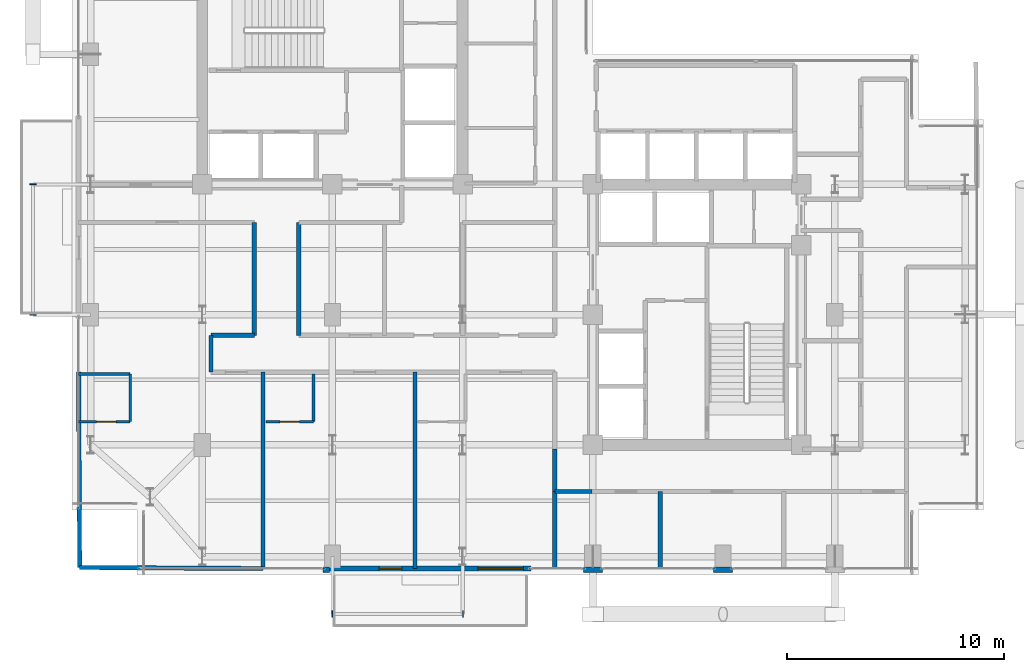
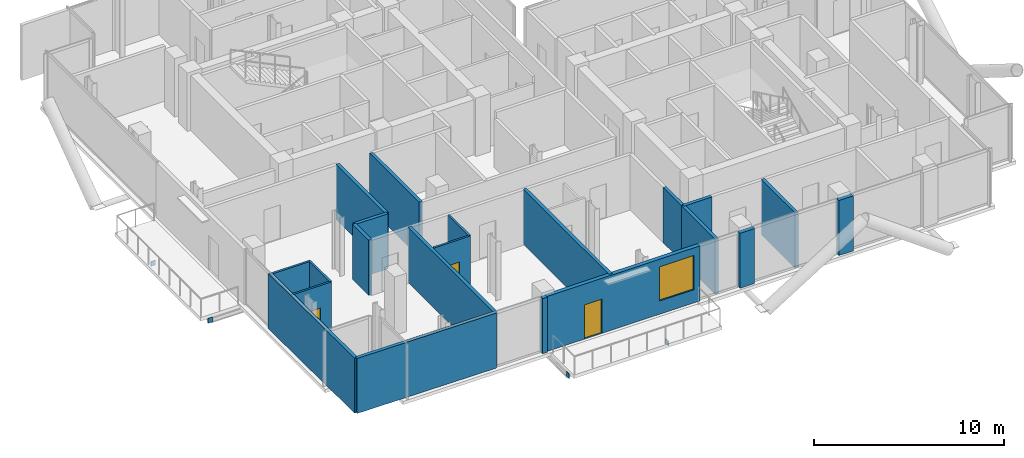
# One storey, part 16 of 22: 21 walls, 4 plates, 3 doors, 1 window, 4 openings.
"""IFC4 building model written with IfcOpenShell, lengths in metres."""

from ifc_helpers import new_model, si_unit, direction, frame, frame_2d, origin, origin_2d, place, context, subcontext, project, spatial, rectangle, extrude, material, layer, layer_set, type_object, element, fill, save


model = new_model("IFC4")

# Units and contexts
model_context = context("Model", 3, precision=1e-05, world=origin(), true_north=direction((0.0, 1.0)))
body_context = subcontext(model_context, "Body", "Model", "MODEL_VIEW")
ifc_project = project(units=[si_unit("LENGTHUNIT", "METRE"), si_unit("AREAUNIT", "SQUARE_METRE"), si_unit("VOLUMEUNIT", "CUBIC_METRE"), si_unit("PLANEANGLEUNIT", "RADIAN"), si_unit("MASSUNIT", "GRAM", prefix="KILO"), si_unit("THERMODYNAMICTEMPERATUREUNIT", "KELVIN"), si_unit("POWERUNIT", "WATT")], contexts=[model_context])

# Site, building, storey
site_placement = place(None, origin())
site = spatial("IfcSite", under=ifc_project, at=site_placement, CompositionType="ELEMENT")
building_placement = place(site_placement, origin())
building = spatial("IfcBuilding", under=site, at=building_placement, Name="Svarakhadi Broadcast Tower", CompositionType="ELEMENT")
storey_placement = place(building_placement, frame((0.0, 0.0, 176.699951171875)))
storey = spatial("IfcBuildingStorey", under=building, at=storey_placement, Name="L43", CompositionType="ELEMENT", Elevation=176.699951171875)

# Plates
ifc_material_1 = material(Name="Steel S460ML (IS 2062 E450BR)", Category="steel")
ifc_layer_1 = layer(ifc_material_1, 0.028076171875)
ifc_layer_set_1 = layer_set([ifc_layer_1], Name="Steel S460ML (IS 2062 E450BR)")
plate_type = type_object("IfcPlateType", Name="Cap_Plate_CP02", PredefinedType="USERDEFINED", material=ifc_layer_set_1)
for number, where, z_axis, x_axis, name in (
    (1, (11.985107421875, -1.800048828125, -0.5048828125), (0.0, 0.0, 1.0), (1.0, 0.0, 0.0), "L43 Balcony Spandrel End Cap Plate 1F-A"),
    (2, (18.014892578125, -1.800048828125, -0.5048828125), (0.0, 0.0, 1.0), (1.0, 0.0, 0.0), "L43 Balcony Spandrel End Cap Plate 1F-B"),
):
    element("IfcPlate", number, at=place(storey_placement, frame(where, z_axis=z_axis, x_axis=x_axis)), inside=storey, type_object=plate_type, Name=name, ObjectType="FLANGE_PLATE", PredefinedType="USERDEFINED", context=body_context, shape_type="SweptSolid", body=[
        extrude(rectangle(XDim=0.0400390625, YDim=0.300048828125, at=origin_2d()), origin(), (0.0, 0.0, 1.0), 0.31005859375),
    ])
for number, where, z_axis, x_axis, name in (
    (3, (-1.800048828125, 11.985107421875, -0.5048828125), (0.0, 0.0, 1.0), (1.0, 0.0, 0.0), "L43 Balcony Spandrel End Cap Plate 2F-A"),
    (4, (-1.800048828125, 18.014892578125, -0.5048828125), (0.0, 0.0, 1.0), (1.0, 0.0, 0.0), "L43 Balcony Spandrel End Cap Plate 2F-B"),
):
    element("IfcPlate", number, at=place(storey_placement, frame(where, z_axis=z_axis, x_axis=x_axis)), inside=storey, type_object=plate_type, Name=name, ObjectType="FLANGE_PLATE", PredefinedType="USERDEFINED", context=body_context, shape_type="SweptSolid", body=[
        extrude(rectangle(XDim=0.300048828125, YDim=0.0400390625, at=origin_2d()), origin(), (0.0, 0.0, 1.0), 0.31005859375),
    ])

# Walls
ifc_material_2 = material(Name="Double-Stud Acoustic Studio Partition STC-62", Category="gypsum")
ifc_layer_2 = layer(ifc_material_2, 0.199951171875)
ifc_layer_set_2 = layer_set([ifc_layer_2], Name="Double-Stud Acoustic Studio Partition STC-62")
wall_type_1 = type_object("IfcWallType", Name="Wall_Acoust_200", PredefinedType="PARTITIONING", material=ifc_layer_set_2)
wall_1_placement = place(storey_placement, frame((23.949951171875, 3.85009765625, 0.0), z_axis=(0.0, 0.0, 1.0), x_axis=(-1.0, 0.0, 0.0)))
element("IfcWall", 5, at=wall_1_placement, inside=storey, type_object=wall_type_1, Name="L43 Zone 2/3 Corridor Wall", PredefinedType="PARTITIONING", context=body_context, shape_type="SweptSolid", body=[
    extrude(rectangle(XDim=1.699951171875, YDim=0.199951171875, at=frame_2d((0.85009765625, 0.0))), origin(), (0.0, 0.0, 1.0), 3.5400390625),
])
wall_2_placement = place(storey_placement, frame((22.25, 3.85009765625, 0.0), z_axis=(0.0, 0.0, 1.0), x_axis=(0.0, 1.0, 0.0)))
element("IfcWall", 6, at=wall_2_placement, inside=storey, type_object=wall_type_1, Name="L43 Zone 2/3 Corridor Wall", PredefinedType="PARTITIONING", context=body_context, shape_type="SweptSolid", body=[
    extrude(rectangle(XDim=1.949951171875, YDim=0.199951171875, at=frame_2d((0.97509765625, 0.0))), origin(), (0.0, 0.0, 1.0), 3.5400390625),
])
wall_3_placement = place(storey_placement, frame((6.39990234375, 9.35009765625, 0.0), z_axis=(0.0, 0.0, 1.0), x_axis=(0.0, 1.0, 0.0)))
element("IfcWall", 7, at=wall_3_placement, inside=storey, type_object=wall_type_1, Name="L43 Zone 2/3 Corridor Wall", PredefinedType="PARTITIONING", context=body_context, shape_type="SweptSolid", body=[
    extrude(rectangle(XDim=1.699951171875, YDim=0.199951171875, at=frame_2d((0.85009765625, 0.0))), origin(), (0.0, 0.0, 1.0), 3.5400390625),
])
wall_4_placement = place(storey_placement, frame((6.39990234375, 11.050048828125, 0.0), z_axis=(0.0, 0.0, 1.0), x_axis=(1.0, 0.0, 0.0)))
element("IfcWall", 8, at=wall_4_placement, inside=storey, type_object=wall_type_1, Name="L43 Zone 2/3 Corridor Wall", PredefinedType="PARTITIONING", context=body_context, shape_type="SweptSolid", body=[
    extrude(rectangle(XDim=2.0, YDim=0.199951171875, at=frame_2d((1.0, 0.0))), origin(), (0.0, 0.0, 1.0), 3.5400390625),
])
for number, where, z_axis, x_axis, name in (
    (9, (8.39990234375, 11.050048828125, 0.0), (0.0, 0.0, 1.0), (0.0, 1.0, 0.0), "L43 Zone 2/3 Corridor Wall"),
    (10, (10.449951171875, 16.25, 0.0), (0.0, 0.0, 1.0), (0.0, -1.0, 0.0), "L43 Zone 2/3 Corridor Wall"),
):
    element("IfcWall", number, at=place(storey_placement, frame(where, z_axis=z_axis, x_axis=x_axis)), inside=storey, type_object=wall_type_1, Name=name, PredefinedType="PARTITIONING", context=body_context, shape_type="SweptSolid", body=[
        extrude(rectangle(XDim=5.199951171875, YDim=0.199951171875, at=frame_2d((2.60009765625, 0.0))), origin(), (0.0, 0.0, 1.0), 3.5400390625),
    ])
for number, where, z_axis, x_axis, name in (
    (11, (22.25, 0.300048828125, 0.0), (0.0, 0.0, 1.0), (0.0, 1.0, 0.0), "L43 Hotel Business Centre Office Wall"),
    (12, (27.10009765625, 0.300048828125, 0.0), (0.0, 0.0, 1.0), (0.0, 1.0, 0.0), "L43 Hotel Business Centre Office Wall"),
):
    element("IfcWall", number, at=place(storey_placement, frame(where, z_axis=z_axis, x_axis=x_axis)), inside=storey, type_object=wall_type_1, Name=name, PredefinedType="PARTITIONING", context=body_context, shape_type="SweptSolid", body=[
        extrude(rectangle(XDim=3.550048828125, YDim=0.199951171875, at=frame_2d((1.77490234375, 0.0))), origin(), (0.0, 0.0, 1.0), 3.5400390625),
    ])
wall_5_placement = place(storey_placement, frame((0.35009765625, 0.35009765625, 0.0), z_axis=(0.0, 0.0, 1.0), x_axis=(0.99998245966, -0.005922868574, 0.0)))
element("IfcWall", 13, at=wall_5_placement, inside=storey, type_object=wall_type_1, Name="L43 Deluxe Sea-View Guest Room 01 Wall", PredefinedType="PARTITIONING", context=body_context, shape_type="SweptSolid", body=[
    extrude(rectangle(XDim=8.4501953125, YDim=0.199951171875, at=frame_2d((4.22509765625, 0.0))), origin(), (0.0, 0.0, 1.0), 3.5400390625),
])
wall_6_placement = place(storey_placement, frame((0.35009765625, 0.35009765625, 0.0), z_axis=(0.0, 0.0, 1.0), x_axis=(-0.005560894919, 0.999984538104, 0.0)))
element("IfcWall", 14, at=wall_6_placement, inside=storey, type_object=wall_type_1, Name="L43 Deluxe Sea-View Guest Room 01 Wall", PredefinedType="PARTITIONING", context=body_context, shape_type="SweptSolid", body=[
    extrude(rectangle(XDim=9.000244140625, YDim=0.199951171875, at=frame_2d((4.5, 0.0))), origin(), (0.0, 0.0, 1.0), 3.5400390625),
])
for number, where, z_axis, x_axis, name in (
    (15, (8.800048828125, 0.300048828125, 0.0), (0.0, 0.0, 1.0), (0.0, 1.0, 0.0), "L43 Deluxe Sea-View Guest Room 01 Wall"),
    (16, (15.800048828125, 0.300048828125, 0.0), (0.0, 0.0, 1.0), (0.0, 1.0, 0.0), "L43 Deluxe Sea-View Guest Room 02 Wall"),
):
    element("IfcWall", number, at=place(storey_placement, frame(where, z_axis=z_axis, x_axis=x_axis)), inside=storey, type_object=wall_type_1, Name=name, PredefinedType="PARTITIONING", context=body_context, shape_type="SweptSolid", body=[
        extrude(rectangle(XDim=9.050048828125, YDim=0.199951171875, at=frame_2d((4.52490234375, 0.0))), origin(), (0.0, 0.0, 1.0), 3.5400390625),
    ])

# Wall, openings, door, window
ifc_material_3 = material(Name="Concrete C40/50 (IS 456 M50)", Category="concrete")
ifc_layer_3 = layer(ifc_material_3, 0.239990234375)
ifc_layer_set_3 = layer_set([ifc_layer_3], Name="Concrete C40/50 (IS 456 M50)")
wall_type_2 = type_object("IfcWallType", Name="Wall_Ext_240", PredefinedType="SOLIDWALL", material=ifc_layer_set_3)
wall_7_placement = place(storey_placement, frame((21.14501953125, 0.300048828125, 0.0), z_axis=(0.0, 0.0, 1.0), x_axis=(-1.0, 0.0, 0.0)))
wall_7 = element("IfcWall", 17, at=wall_7_placement, inside=storey, type_object=wall_type_2, Name="L43 South Tree Balcony Spandrel Wall", PredefinedType="SOLIDWALL", context=body_context, shape_type="SweptSolid", body=[
    extrude(rectangle(XDim=9.2900390625, YDim=0.239990234375, at=frame_2d((4.64501953125, 0.0))), origin(), (0.0, 0.0, 1.0), 3.5400390625),
])
opening_1_placement = place(wall_7_placement, frame((5.949951171875, 0.0, 0.0)))
opening_1 = element("IfcOpeningElement", 18, at=opening_1_placement, cuts=wall_7, Name="Opening ED-05", PredefinedType="OPENING", context=body_context, shape_type="SweptSolid", body=[
    extrude(rectangle(XDim=1.050048828125, YDim=2.199951171875, at=frame_2d((0.52490234375, 1.10009765625))), frame((0.0, 0.1298828125, 0.0), z_axis=(0.0, -1.0, 0.0), x_axis=(1.0, 0.0, 0.0)), (0.0, 0.0, 1.0), 0.260009765625),
])
opening_2_placement = place(wall_7_placement, frame((0.35009765625, 0.0, 0.85009765625)))
opening_2 = element("IfcOpeningElement", 19, at=opening_2_placement, cuts=wall_7, Name="Opening WN-06", PredefinedType="OPENING", context=body_context, shape_type="SweptSolid", body=[
    extrude(rectangle(XDim=2.10009765625, YDim=2.199951171875, at=frame_2d((1.050048828125, 1.10009765625))), frame((0.0, 0.1298828125, 0.0), z_axis=(0.0, -1.0, 0.0), x_axis=(1.0, 0.0, 0.0)), (0.0, 0.0, 1.0), 0.260009765625),
])
ifc_material_4 = material(Name="Anodised Bronze Aluminium AA 6063-T6", Category="aluminium")
door_type_1 = type_object("IfcDoorType", Name="Door_Ext_ED05", OperationType="SINGLE_SWING_LEFT", PredefinedType="DOOR", material=ifc_material_4)
door_1_placement = place(opening_1_placement, origin())
door_1 = element("IfcDoor", 20, at=door_1_placement, inside=storey, type_object=door_type_1, Name="L43 South Tree Balcony Door", OperationType="SINGLE_SWING_LEFT", OverallHeight=2.199951171875, OverallWidth=1.050048828125, PredefinedType="DOOR", context=body_context, shape_type="SweptSolid", body=[
    extrude(rectangle(XDim=1.050048828125, YDim=2.199951171875, at=frame_2d((0.52490234375, 1.10009765625))), frame((0.0, 0.02490234375, 0.0), z_axis=(0.0, -1.0, 0.0), x_axis=(1.0, 0.0, 0.0)), (0.0, 0.0, 1.0), 0.050048828125),
])
fill(opening_1, door_1)
ifc_material_5 = material(Name="Double Low-E Laminated Acoustic Glass IGU 36 mm", Category="glass")
window_type = type_object("IfcWindowType", Name="Win_Hotel_WN06", PartitioningType="SINGLE_PANEL", PredefinedType="WINDOW", material=ifc_material_5)
window_placement = place(opening_2_placement, origin())
window = element("IfcWindow", 21, at=window_placement, inside=storey, type_object=window_type, Name="L43 South Tree Balcony Window", OverallHeight=2.199951171875, OverallWidth=2.10009765625, PartitioningType="SINGLE_PANEL", PredefinedType="WINDOW", context=body_context, shape_type="SweptSolid", body=[
    extrude(rectangle(XDim=2.10009765625, YDim=2.199951171875, at=frame_2d((1.050048828125, 1.10009765625))), frame((0.0, 0.030029296875, 0.0), z_axis=(0.0, -1.0, 0.0), x_axis=(1.0, 0.0, 0.0)), (0.0, 0.0, 1.0), 0.06005859375),
])
fill(opening_2, window)

# Walls
for number, where, z_axis, x_axis, name in (
    (22, (30.43994140625, 0.239990234375, 0.0), (0.0, 0.0, 1.0), (-1.0, 0.0, 0.0), "L43 Perimeter Bronze Spandrel Closure Wall 04"),
    (23, (24.43994140625, 0.239990234375, 0.0), (0.0, 0.0, 1.0), (-1.0, 0.0, 0.0), "L43 Perimeter Bronze Spandrel Closure Wall 05"),
):
    element("IfcWall", number, at=place(storey_placement, frame(where, z_axis=z_axis, x_axis=x_axis)), inside=storey, type_object=wall_type_2, Name=name, PredefinedType="SOLIDWALL", context=body_context, shape_type="SweptSolid", body=[
        extrude(rectangle(XDim=0.8798828125, YDim=0.239990234375, at=frame_2d((0.43994140625, 0.0))), origin(), (0.0, 0.0, 1.0), 3.5400390625),
    ])
wall_8_placement = place(storey_placement, frame((11.85498046875, 0.239990234375, 0.0), z_axis=(0.0, 0.0, 1.0), x_axis=(-1.0, 0.0, 0.0)))
element("IfcWall", 24, at=wall_8_placement, inside=storey, type_object=wall_type_2, Name="L43 Perimeter Bronze Spandrel Closure Wall 06", PredefinedType="SOLIDWALL", context=body_context, shape_type="SweptSolid", body=[
    extrude(rectangle(XDim=0.294921875, YDim=0.239990234375, at=frame_2d((0.1474609375, 0.0))), origin(), (0.0, 0.0, 1.0), 3.5400390625),
])

# Wall, opening, door
ifc_material_6 = material(Name="Fire-Rated Moisture-Resistant Gypsum Board Partition", Category="gypsum")
ifc_layer_4 = layer(ifc_material_6, 0.125)
ifc_layer_set_4 = layer_set([ifc_layer_4], Name="Fire-Rated Moisture-Resistant Gypsum Board Partition")
wall_type_3 = type_object("IfcWallType", Name="Wall_Part_125", PredefinedType="PARTITIONING", material=ifc_layer_set_4)
wall_9_placement = place(storey_placement, frame((0.300048828125, 7.070068359375, 0.0), z_axis=(0.0, 0.0, 1.0), x_axis=(1.0, 0.0, 0.0)))
wall_9 = element("IfcWall", 25, at=wall_9_placement, inside=storey, type_object=wall_type_3, Name="L43 Deluxe Sea-View Guest Room 01 En-Suite Wall", PredefinedType="PARTITIONING", context=body_context, shape_type="SweptSolid", body=[
    extrude(rectangle(XDim=2.3798828125, YDim=0.125, at=frame_2d((1.18994140625, 0.0))), origin(), (0.0, 0.0, 1.0), 3.5400390625),
])
opening_3_placement = place(wall_9_placement, frame((0.830078125, 0.0, 0.0)))
opening_3 = element("IfcOpeningElement", 26, at=opening_3_placement, cuts=wall_9, Name="Opening D-13", PredefinedType="OPENING", context=body_context, shape_type="SweptSolid", body=[
    extrude(rectangle(XDim=0.89990234375, YDim=2.10009765625, at=frame_2d((0.449951171875, 1.050048828125))), frame((0.0, 0.072509765625, 0.0), z_axis=(0.0, -1.0, 0.0), x_axis=(1.0, 0.0, 0.0)), (0.0, 0.0, 1.0), 0.14501953125),
])
ifc_material_7 = material(Name="Solid-Core Teak Veneer Acoustic Timber Leaf", Category="wood")
door_type_2 = type_object("IfcDoorType", Name="Door_Closet_D13", OperationType="SINGLE_SWING_RIGHT", PredefinedType="DOOR", material=ifc_material_7)
door_2_placement = place(opening_3_placement, origin())
door_2 = element("IfcDoor", 27, at=door_2_placement, inside=storey, type_object=door_type_2, Name="L43 Deluxe Sea-View Guest Room 01 En-Suite Door", OperationType="SINGLE_SWING_RIGHT", OverallHeight=2.10009765625, OverallWidth=0.89990234375, PredefinedType="DOOR", context=body_context, shape_type="SweptSolid", body=[
    extrude(rectangle(XDim=0.89990234375, YDim=2.10009765625, at=frame_2d((0.449951171875, 1.050048828125))), frame((0.0, 0.02490234375, 0.0), z_axis=(0.0, -1.0, 0.0), x_axis=(1.0, 0.0, 0.0)), (0.0, 0.0, 1.0), 0.050048828125),
])
fill(opening_3, door_2)

# Walls
wall_10_placement = place(storey_placement, frame((0.300048828125, 9.27001953125, 0.0), z_axis=(0.0, 0.0, 1.0), x_axis=(1.0, 0.0, 0.0)))
element("IfcWall", 28, at=wall_10_placement, inside=storey, type_object=wall_type_3, Name="L43 Deluxe Sea-View Guest Room 01 En-Suite Wall", PredefinedType="PARTITIONING", context=body_context, shape_type="SweptSolid", body=[
    extrude(rectangle(XDim=2.3798828125, YDim=0.125, at=frame_2d((1.18994140625, 0.0))), origin(), (0.0, 0.0, 1.0), 3.5400390625),
])
wall_11_placement = place(storey_placement, frame((2.679931640625, 7.070068359375, 0.0), z_axis=(0.0, 0.0, 1.0), x_axis=(0.0, 1.0, 0.0)))
element("IfcWall", 29, at=wall_11_placement, inside=storey, type_object=wall_type_3, Name="L43 Deluxe Sea-View Guest Room 01 En-Suite Wall", PredefinedType="PARTITIONING", context=body_context, shape_type="SweptSolid", body=[
    extrude(rectangle(XDim=2.199951171875, YDim=0.125, at=frame_2d((1.10009765625, 0.0))), origin(), (0.0, 0.0, 1.0), 3.5400390625),
])

# Wall, opening, door
wall_12_placement = place(storey_placement, frame((8.929931640625, 7.070068359375, 0.0), z_axis=(0.0, 0.0, 1.0), x_axis=(1.0, 0.0, 0.0)))
wall_12 = element("IfcWall", 30, at=wall_12_placement, inside=storey, type_object=wall_type_3, Name="L43 Deluxe Sea-View Guest Room 02 En-Suite Wall", PredefinedType="PARTITIONING", context=body_context, shape_type="SweptSolid", body=[
    extrude(rectangle(XDim=2.199951171875, YDim=0.125, at=frame_2d((1.10009765625, 0.0))), origin(), (0.0, 0.0, 1.0), 3.5400390625),
])
opening_4_placement = place(wall_12_placement, frame((0.64990234375, 0.0, 0.0)))
opening_4 = element("IfcOpeningElement", 31, at=opening_4_placement, cuts=wall_12, Name="Opening D-13", PredefinedType="OPENING", context=body_context, shape_type="SweptSolid", body=[
    extrude(rectangle(XDim=0.89990234375, YDim=2.10009765625, at=frame_2d((0.449951171875, 1.050048828125))), frame((0.0, 0.072509765625, 0.0), z_axis=(0.0, -1.0, 0.0), x_axis=(1.0, 0.0, 0.0)), (0.0, 0.0, 1.0), 0.14501953125),
])
door_3_placement = place(opening_4_placement, origin())
door_3 = element("IfcDoor", 32, at=door_3_placement, inside=storey, type_object=door_type_2, Name="L43 Deluxe Sea-View Guest Room 02 En-Suite Door", OperationType="SINGLE_SWING_RIGHT", OverallHeight=2.10009765625, OverallWidth=0.89990234375, PredefinedType="DOOR", context=body_context, shape_type="SweptSolid", body=[
    extrude(rectangle(XDim=0.89990234375, YDim=2.10009765625, at=frame_2d((0.449951171875, 1.050048828125))), frame((0.0, 0.02490234375, 0.0), z_axis=(0.0, -1.0, 0.0), x_axis=(1.0, 0.0, 0.0)), (0.0, 0.0, 1.0), 0.050048828125),
])
fill(opening_4, door_3)

# Wall
wall_13_placement = place(storey_placement, frame((11.1298828125, 7.070068359375, 0.0), z_axis=(0.0, 0.0, 1.0), x_axis=(0.0, 1.0, 0.0)))
element("IfcWall", 33, at=wall_13_placement, inside=storey, type_object=wall_type_3, Name="L43 Deluxe Sea-View Guest Room 02 En-Suite Wall", PredefinedType="PARTITIONING", context=body_context, shape_type="SweptSolid", body=[
    extrude(rectangle(XDim=2.199951171875, YDim=0.125, at=frame_2d((1.10009765625, 0.0))), origin(), (0.0, 0.0, 1.0), 3.5400390625),
])

save(model, "model.ifc")
